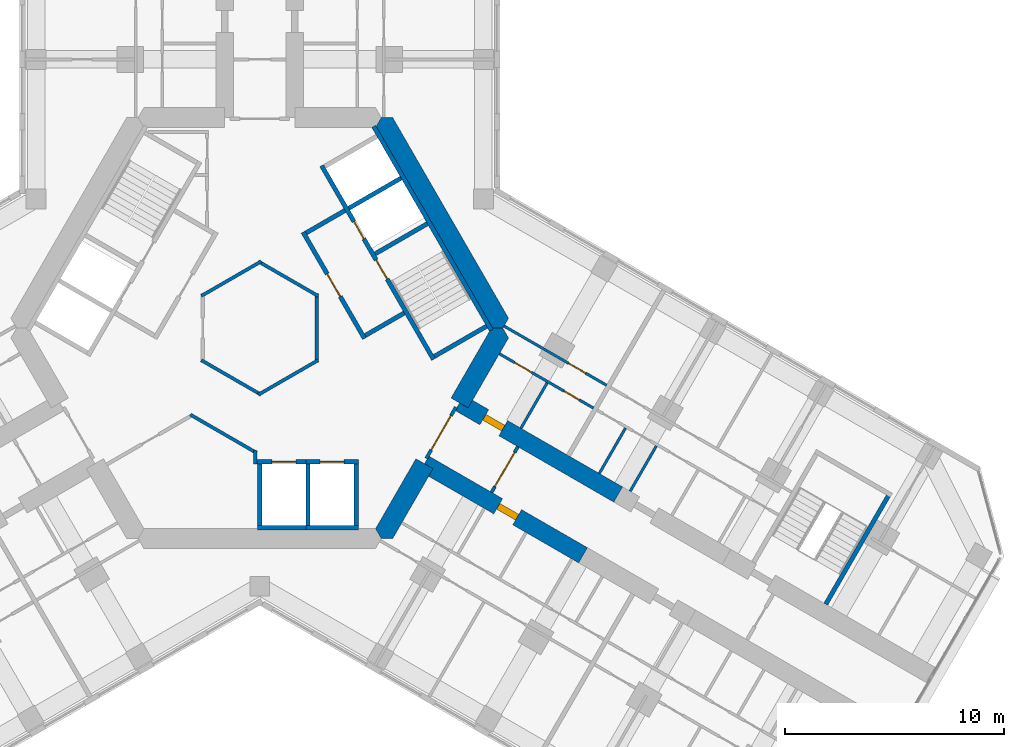
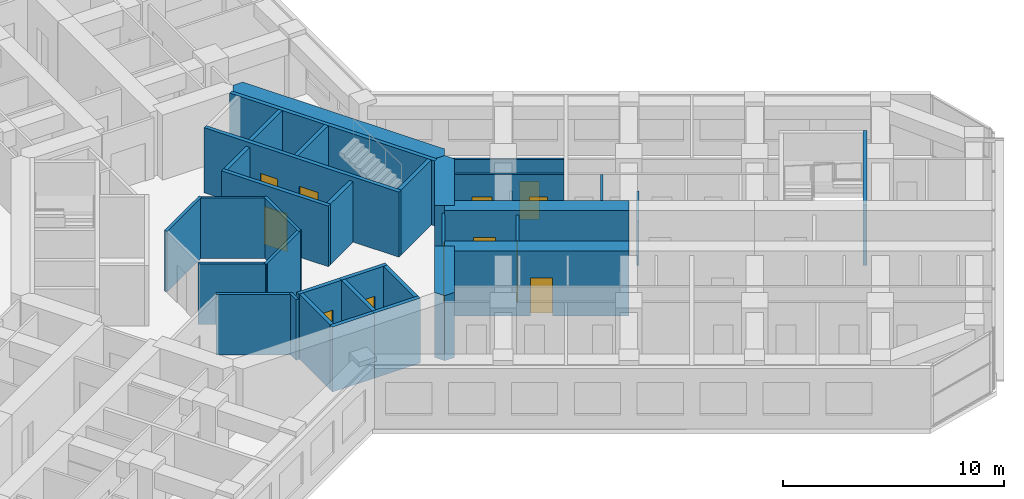
# One storey, part 15 of 20: 35 walls, 12 doors, 12 openings.
"""IFC4 building model written with IfcOpenShell, lengths in metres."""

import ifcopenshell
import ifcopenshell.guid

model = None  # the IFC model being written
_history = None  # IfcOwnerHistory: only IFC2X3 demands one
_inside = {}  # id of a spatial element -> (the spatial element, [elements in it])
_under = {}  # id of a project, library or spatial element -> (it, [spatial elements below it])
_declared = {}  # id of a project -> (the project, [libraries it declares])
_typed = {}  # id of a type object -> (the type object, [elements of that type])
_made_of = {}  # id of a material, layer set ... -> (it, [elements and type objects made of it])


def new_model(schema):
    """Start an empty IFC model of exactly this schema.

    Asked for "IFC4X3", IfcOpenShell would pick the latest addendum, in which some entities
    have other attributes; the version numbers below select the first issue.
    IFC2X3 requires an IfcOwnerHistory on every rooted entity: one is made here for all.
    """
    global model, _history
    if schema == "IFC4X3":
        model = ifcopenshell.file(schema_version=(4, 3, 0, 0))
    else:
        model = ifcopenshell.file(schema=schema)
    _inside.clear()
    _under.clear()
    _declared.clear()
    _typed.clear()
    _made_of.clear()
    _history = None
    if model.schema == "IFC2X3":
        org = make("IfcOrganization", Name="unknown")
        user = make(
            "IfcPersonAndOrganization",
            ThePerson=make("IfcPerson", FamilyName="unknown"),
            TheOrganization=org,
        )
        app = make(
            "IfcApplication",
            ApplicationDeveloper=org,
            Version="unknown",
            ApplicationFullName="unknown",
            ApplicationIdentifier="unknown",
        )
        _history = make(
            "IfcOwnerHistory",
            OwningUser=user,
            OwningApplication=app,
            ChangeAction="ADDED",
            CreationDate=0,
        )
    return model


def make(cls, **values):
    """One entity of the class cls with the attributes given. An attribute that is None is left unset."""
    return model.create_entity(
        cls, **{name: value for name, value in values.items() if value is not None}
    )


def rooted(cls, **values):
    """An entity with a GlobalId (a new one), such as an element, a storey or a relation."""
    return make(cls, GlobalId=ifcopenshell.guid.new(), OwnerHistory=_history, **values)


def si_unit(unit_type, name, prefix=None):
    """IfcSIUnit, for example si_unit("LENGTHUNIT", "METRE", prefix="MILLI")."""
    return make("IfcSIUnit", UnitType=unit_type, Prefix=prefix, Name=name)


def assignment(units):
    """IfcUnitAssignment: the units of a project."""
    return None if units is None else make("IfcUnitAssignment", Units=units)


def point(xyz):
    """IfcCartesianPoint."""
    return None if xyz is None else make("IfcCartesianPoint", Coordinates=xyz)


def direction(xyz):
    """IfcDirection."""
    return None if xyz is None else make("IfcDirection", DirectionRatios=xyz)


def frame(location, z_axis=None, x_axis=None):
    """IfcAxis2Placement3D, a coordinate frame: its origin and axes. An axis left out is left unset."""
    return make(
        "IfcAxis2Placement3D",
        Location=point(location),
        Axis=direction(z_axis),
        RefDirection=direction(x_axis),
    )


def frame_2d(location, x_axis=None):
    """IfcAxis2Placement2D, a coordinate frame in the plane: its origin and x axis."""
    return make(
        "IfcAxis2Placement2D", Location=point(location), RefDirection=direction(x_axis)
    )


def origin():
    """The frame at (0, 0, 0) with its axes left unset."""
    return frame((0.0, 0.0, 0.0))


def place(relative_to, where):
    """IfcLocalPlacement: puts the frame where relative to a parent placement (None: the world)."""
    return make(
        "IfcLocalPlacement", PlacementRelTo=relative_to, RelativePlacement=where
    )


def context(
    kind, dimensions, precision=None, world=None, true_north=None, identifier=None
):
    """IfcGeometricRepresentationContext, for example the 3D "Model" context."""
    return make(
        "IfcGeometricRepresentationContext",
        ContextIdentifier=identifier,
        ContextType=kind,
        CoordinateSpaceDimension=dimensions,
        Precision=precision,
        WorldCoordinateSystem=world,
        TrueNorth=true_north,
    )


def subcontext(parent, identifier, kind, view, scale=None):
    """IfcGeometricRepresentationSubContext, for example "Body" below "Model"."""
    return make(
        "IfcGeometricRepresentationSubContext",
        ContextIdentifier=identifier,
        ContextType=kind,
        ParentContext=parent,
        TargetScale=scale,
        TargetView=view,
    )


def project(units=None, contexts=None):
    """IfcProject with its units and contexts."""
    return rooted(
        "IfcProject",
        Name="project",
        RepresentationContexts=contexts,
        UnitsInContext=assignment(units),
    )


def spatial(cls, under=None, at=None, **own):
    """A site, building, storey or space (cls), placed at a placement, below another one or the project."""
    s = rooted(cls, ObjectPlacement=at, **own)
    if under is not None:
        _under.setdefault(under.id(), (under, []))[1].append(s)
    return s


def polyline(points):
    """IfcPolyline through the points."""
    return make("IfcPolyline", Points=[point(p) for p in points])


def profile(cls, at=None, kind="AREA", **sizes):
    """A parametric profile (cls). Its sizes go by their IFC names, for example OverallWidth=200.0."""
    return make(cls, ProfileType=kind, Position=at, **sizes)


def rectangle(**sizes):
    """IfcRectangleProfileDef."""
    return profile("IfcRectangleProfileDef", **sizes)


def outline(outer, holes=None, kind="AREA"):
    """IfcArbitraryClosedProfileDef: a profile drawn as a closed curve; with holes, ...WithVoids."""
    if holes is None:
        return make("IfcArbitraryClosedProfileDef", ProfileType=kind, OuterCurve=outer)
    return make(
        "IfcArbitraryProfileDefWithVoids",
        ProfileType=kind,
        OuterCurve=outer,
        InnerCurves=holes,
    )


def extrude(swept, where, along, depth):
    """IfcExtrudedAreaSolid: the profile swept, set in the frame where, extruded along a direction by depth."""
    return make(
        "IfcExtrudedAreaSolid",
        SweptArea=swept,
        Position=where,
        ExtrudedDirection=direction(along),
        Depth=depth,
    )


def shape(context_of_items, identifier, shape_type, items):
    """IfcShapeRepresentation: the items that make up one representation, for example the "Body"."""
    return make(
        "IfcShapeRepresentation",
        ContextOfItems=context_of_items,
        RepresentationIdentifier=identifier,
        RepresentationType=shape_type,
        Items=items,
    )


def material(Name=None, Category=None):
    """IfcMaterial."""
    return make("IfcMaterial", Name=Name, Category=Category)


def layer(
    of_material, thickness, ventilated=None, Name=None, Category=None, Priority=None
):
    """IfcMaterialLayer: one layer of a wall or slab, of a material (None: an air gap)."""
    return make(
        "IfcMaterialLayer",
        Material=of_material,
        LayerThickness=thickness,
        IsVentilated=ventilated,
        Name=Name,
        Category=Category,
        Priority=Priority,
    )


def layer_set(layers, Name=None):
    """IfcMaterialLayerSet."""
    return make("IfcMaterialLayerSet", MaterialLayers=layers, LayerSetName=Name)


def made_of(thing, what):
    """Note that an element or type object is made of a material, layer set ...; save() writes the relation."""
    if what is not None:
        _made_of.setdefault(what.id(), (what, []))[1].append(thing)
    return thing


def type_object(cls, material=None, **own):
    """A type object (cls), such as IfcWallType, which elements share."""
    return made_of(rooted(cls, **own), material)


def element(
    cls,
    number,
    at=None,
    inside=None,
    cuts=None,
    type_object=None,
    material=None,
    context=None,
    identifier="Body",
    shape_type=None,
    held_by="IfcProductDefinitionShape",
    body=None,
    shapes=None,
    **own,
):
    """One element of the class cls, such as IfcWall. Its Tag is "e" and its number.

    at: its placement. inside: the storey or other place that contains it. cuts: it is an
    opening in that element (IfcRelVoidsElement). A single representation is given by context,
    identifier, shape_type and body (its items); several are given by shapes. held_by: the class
    of the entity that holds the representations. save() writes the other relations.
    """
    e = rooted(cls, Tag="e%d" % number, ObjectPlacement=at, **own)
    if body is not None:
        shapes = [shape(context, identifier, shape_type, body)]
    if shapes is not None:
        e.Representation = make(held_by, Representations=shapes)
    if inside is not None:
        _inside.setdefault(inside.id(), (inside, []))[1].append(e)
    if cuts is not None:
        rooted(
            "IfcRelVoidsElement", RelatingBuildingElement=cuts, RelatedOpeningElement=e
        )
    if type_object is not None:
        _typed.setdefault(type_object.id(), (type_object, []))[1].append(e)
    return made_of(e, material)


def fill(opening, filler):
    """IfcRelFillsElement: the door or window that sits in an opening."""
    return rooted(
        "IfcRelFillsElement",
        RelatingOpeningElement=opening,
        RelatedBuildingElement=filler,
    )


def aggregate(whole, parts):
    """IfcRelAggregates: a whole, such as a stair, and the parts it consists of."""
    return rooted("IfcRelAggregates", RelatingObject=whole, RelatedObjects=parts)


def save(model, path):
    """Write the relations noted so far, then the file.

    IfcRelAggregates (storeys below a building ...), IfcRelContainedInSpatialStructure (elements
    in a storey), IfcRelDefinesByType, IfcRelAssociatesMaterial and IfcRelDeclares: one each for
    every whole, place, type object, material and project.
    """
    for whole, parts in _under.values():
        aggregate(whole, parts)
    for where, things in _inside.values():
        rooted(
            "IfcRelContainedInSpatialStructure",
            RelatedElements=things,
            RelatingStructure=where,
        )
    for kind, things in _typed.values():
        rooted("IfcRelDefinesByType", RelatedObjects=things, RelatingType=kind)
    for what, things in _made_of.values():
        rooted("IfcRelAssociatesMaterial", RelatedObjects=things, RelatingMaterial=what)
    for by, libraries in _declared.values():
        rooted("IfcRelDeclares", RelatingContext=by, RelatedDefinitions=libraries)
    model.write(path)


model = new_model("IFC4")

# Units and contexts
model_context = context("Model", 3, precision=1e-05, world=origin(), true_north=direction((0.0, 1.0)))
body_context = subcontext(model_context, "Body", "Model", "MODEL_VIEW")
ifc_project = project(units=[si_unit("LENGTHUNIT", "METRE"), si_unit("AREAUNIT", "SQUARE_METRE"), si_unit("VOLUMEUNIT", "CUBIC_METRE"), si_unit("PLANEANGLEUNIT", "RADIAN"), si_unit("MASSUNIT", "GRAM", prefix="KILO")], contexts=[model_context])

# Site, building, storey
site_placement = place(None, origin())
site = spatial("IfcSite", under=ifc_project, at=site_placement, CompositionType="ELEMENT")
building_placement = place(site_placement, origin())
building = spatial("IfcBuilding", under=site, at=building_placement, Name="Kosmar Iwan School Tower", CompositionType="ELEMENT")
storey_placement = place(building_placement, frame((0.0, 0.0, 176.0)))
storey = spatial("IfcBuildingStorey", under=building, at=storey_placement, Name="L44", CompositionType="ELEMENT", Elevation=176.0)

# Walls
ifc_material_1 = material(Name="Gypsum board on steel studs, fire-rated", Category="steel")
ifc_layer_1 = layer(ifc_material_1, 0.14990234375)
ifc_layer_set_1 = layer_set([ifc_layer_1], Name="Core room partition 150")
wall_type_1 = type_object("IfcWallType", Name="Core room partition 150", PredefinedType="PARTITIONING", material=ifc_layer_set_1)
wall_1_placement = place(storey_placement, frame((-3.1650390625, -3.9462890625, 0.0), z_axis=(0.0, 0.0, 1.0), x_axis=(0.866040335699, -0.499974136273, 0.0)))
element("IfcWall", 1, at=wall_1_placement, inside=storey, type_object=wall_type_1, Name="Core room partition L44-CW6", PredefinedType="PARTITIONING", context=body_context, shape_type="SweptSolid", body=[
    extrude(rectangle(XDim=3.498779296875, YDim=0.14990234375, at=frame_2d((1.74951171875, 0.0))), origin(), (0.0, 0.0, 1.0), 3.35009765625),
])
wall_2_placement = place(storey_placement, frame((-0.199951171875, -5.5830078125, 0.0), z_axis=(0.0, 0.0, 1.0), x_axis=(0.0, -1.0, 0.0)))
element("IfcWall", 2, at=wall_2_placement, inside=storey, type_object=wall_type_1, Name="Core room partition L44-CW7", PredefinedType="PARTITIONING", context=body_context, shape_type="SweptSolid", body=[
    extrude(rectangle(XDim=0.616943359375, YDim=0.14990234375, at=frame_2d((0.30859375, 0.0))), origin(), (0.0, 0.0, 1.0), 3.35009765625),
])
for number, where, z_axis, x_axis, name in (
    (3, (2.6650390625, -1.463623046875, 0.0), (0.0, 0.0, 1.0), (-0.866023080072, -0.500004024767, 0.0), "Core room partition L44-CW8"),
    (4, (0.06494140625, -3.039794921875, 0.0), (0.0, 0.0, 1.0), (-0.866023080072, 0.500004024767, 0.0), "Core room partition L44-CW9"),
    (5, (-2.6650390625, 1.463623046875, 0.0), (0.0, 0.0, 1.0), (0.866023080072, 0.500004024767, 0.0), "Core room partition L44-CW11"),
    (6, (-0.06494140625, 3.039794921875, 0.0), (0.0, 0.0, 1.0), (0.866023080072, -0.500004024767, 0.0), "Core room partition L44-CW12"),
    (7, (2.60009765625, 1.576171875, 0.0), (0.0, 0.0, 1.0), (0.0, -1.0, 0.0), "Core room partition L44-CW13"),
):
    element("IfcWall", number, at=place(storey_placement, frame(where, z_axis=z_axis, x_axis=x_axis)), inside=storey, type_object=wall_type_1, Name=name, PredefinedType="PARTITIONING", context=body_context, shape_type="SweptSolid", body=[
        extrude(rectangle(XDim=3.15234375, YDim=0.14990234375, at=frame_2d((1.576171875, 0.0))), origin(), (0.0, 0.0, 1.0), 3.35009765625),
    ])
ifc_material_2 = material(Name="Concrete C50/60", Category="concrete")
ifc_layer_2 = layer(ifc_material_2, 0.89990234375)
ifc_layer_set_2 = layer_set([ifc_layer_2], Name="Core wall 900")
wall_type_2 = type_object("IfcWallType", Name="Core wall 900", PredefinedType="SHEAR", material=ifc_layer_set_2)
wall_3_placement = place(storey_placement, origin())
element("IfcWall", 8, at=wall_3_placement, inside=storey, type_object=wall_type_2, Name="Core wall F030", PredefinedType="SHEAR", context=body_context, shape_type="SweptSolid", body=[
    extrude(outline(polyline([(10.5654296875, 0.0), (11.085205078125, 0.0), (11.344970703125, 0.449951171875), (6.062255859375, 9.60009765625), (5.54248046875, 9.60009765625), (5.28271484375, 9.14990234375), (10.5654296875, 0.0)])), origin(), (0.0, 0.0, 1.0), 3.60009765625),
])
wall_4_placement = place(storey_placement, origin())
element("IfcWall", 9, at=wall_4_placement, inside=storey, type_object=wall_type_2, Name="Core wall F330a", PredefinedType="SHEAR", context=body_context, shape_type="SweptSolid", body=[
    extrude(outline(polyline([(5.54248046875, -9.60009765625), (6.062255859375, -9.60009765625), (7.903564453125, -6.41064453125), (7.1240234375, -5.960693359375), (5.28271484375, -9.14990234375), (5.54248046875, -9.60009765625)])), origin(), (0.0, 0.0, 1.0), 3.60009765625),
])
wall_5_placement = place(storey_placement, origin())
element("IfcWall", 10, at=wall_5_placement, inside=storey, type_object=wall_type_2, Name="Core wall F330b", PredefinedType="SHEAR", context=body_context, shape_type="SweptSolid", body=[
    extrude(outline(polyline([(9.503662109375, -3.639404296875), (11.344970703125, -0.449951171875), (11.085205078125, 0.0), (10.5654296875, 0.0), (8.72412109375, -3.189453125), (9.503662109375, -3.639404296875)])), origin(), (0.0, 0.0, 1.0), 3.60009765625),
])

# Wall, opening, door
ifc_material_3 = material(Name="Concrete C50/60", Category="concrete")
ifc_layer_3 = layer(ifc_material_3, 0.800048828125)
ifc_layer_set_3 = layer_set([ifc_layer_3], Name="Corridor buttress wall 800")
wall_type_3 = type_object("IfcWallType", Name="Corridor buttress wall 800", PredefinedType="SHEAR", material=ifc_layer_set_3)
wall_6_placement = place(storey_placement, frame((9.11376953125, -3.414306640625, 0.0), z_axis=(0.0, 0.0, 1.0), x_axis=(0.866026859388, -0.499997478812, 0.0)))
wall_6 = element("IfcWall", 11, at=wall_6_placement, inside=storey, type_object=wall_type_3, Name="Corridor wall CL", PredefinedType="SHEAR", context=body_context, shape_type="SweptSolid", body=[
    extrude(rectangle(XDim=8.35009765625, YDim=0.800048828125, at=frame_2d((4.175048828125, 0.0))), origin(), (0.0, 0.0, 1.0), 3.60009765625),
])
opening_1_placement = place(wall_6_placement, frame((1.300048828125, 0.0, 0.0)))
opening_1 = element("IfcOpeningElement", 12, at=opening_1_placement, cuts=wall_6, Name="Opening D1", PredefinedType="OPENING", context=body_context, shape_type="SweptSolid", body=[
    extrude(rectangle(XDim=1.0, YDim=2.10009765625, at=frame_2d((0.5, 1.050048828125))), frame((0.0, 0.412109375, 0.0), z_axis=(0.0, -1.0, 0.0), x_axis=(1.0, 0.0, 0.0)), (0.0, 0.0, 1.0), 0.823974609375),
])
ifc_material_4 = material(Name="Timber fire door in steel frame", Category="steel")
door_type_1 = type_object("IfcDoorType", Name="Flat entrance door 1000x2100", OperationType="SINGLE_SWING_LEFT", PredefinedType="DOOR", material=ifc_material_4)
door_1_placement = place(opening_1_placement, origin())
door_1 = element("IfcDoor", 13, at=door_1_placement, inside=storey, type_object=door_type_1, Name="Flat L44-CL1 entrance door", OperationType="SINGLE_SWING_RIGHT", OverallHeight=2.10009765625, OverallWidth=1.0, PredefinedType="DOOR", context=body_context, shape_type="SweptSolid", body=[
    extrude(rectangle(XDim=1.0, YDim=2.10009765625, at=frame_2d((0.5, 1.050048828125))), frame((0.0, 0.14990234375, 0.0), z_axis=(0.0, -1.0, 0.0), x_axis=(1.0, 0.0, 0.0)), (0.0, 0.0, 1.0), 0.300048828125),
])
fill(opening_1, door_1)

wall_7_placement = place(storey_placement, frame((7.513916015625, -6.185546875, 0.0), z_axis=(0.0, 0.0, 1.0), x_axis=(0.866019549707, -0.500010139422, 0.0)))
wall_7 = element("IfcWall", 14, at=wall_7_placement, inside=storey, type_object=wall_type_3, Name="Corridor wall CR", PredefinedType="SHEAR", context=body_context, shape_type="SweptSolid", body=[
    extrude(rectangle(XDim=8.349853515625, YDim=0.800048828125, at=frame_2d((4.1748046875, 0.0))), origin(), (0.0, 0.0, 1.0), 3.60009765625),
])
opening_2_placement = place(wall_7_placement, frame((3.8798828125, 0.0, 0.0)))
opening_2 = element("IfcOpeningElement", 15, at=opening_2_placement, cuts=wall_7, Name="Opening D1", PredefinedType="OPENING", context=body_context, shape_type="SweptSolid", body=[
    extrude(rectangle(XDim=1.0, YDim=2.10009765625, at=frame_2d((0.5, 1.050048828125))), frame((0.0, 0.412109375, 0.0), z_axis=(0.0, -1.0, 0.0), x_axis=(1.0, 0.0, 0.0)), (0.0, 0.0, 1.0), 0.823974609375),
])
door_2_placement = place(opening_2_placement, origin())
door_2 = element("IfcDoor", 16, at=door_2_placement, inside=storey, type_object=door_type_1, Name="Flat L44-CR1 entrance door", OperationType="SINGLE_SWING_LEFT", OverallHeight=2.10009765625, OverallWidth=1.0, PredefinedType="DOOR", context=body_context, shape_type="SweptSolid", body=[
    extrude(rectangle(XDim=1.0, YDim=2.10009765625, at=frame_2d((0.5, 1.050048828125))), frame((0.0, 0.14990234375, 0.0), z_axis=(0.0, -1.0, 0.0), x_axis=(1.0, 0.0, 0.0)), (0.0, 0.0, 1.0), 0.300048828125),
])
fill(opening_2, door_2)

ifc_material_5 = material(Name="Gypsum board on steel studs, fire-rated", Category="steel")
ifc_layer_4 = layer(ifc_material_5, 0.14990234375)
ifc_layer_set_4 = layer_set([ifc_layer_4], Name="Corridor end wall 150")
wall_type_4 = type_object("IfcWallType", Name="Corridor end wall 150", PredefinedType="PARTITIONING", material=ifc_layer_set_4)
wall_8_placement = place(storey_placement, frame((10.57177734375, -7.4892578125, 0.0), z_axis=(0.0, 0.0, 1.0), x_axis=(0.499957262057, 0.866050077142, 0.0)))
wall_8 = element("IfcWall", 17, at=wall_8_placement, inside=storey, type_object=wall_type_4, Name="Partition L44-C-HW", PredefinedType="PARTITIONING", context=body_context, shape_type="SweptSolid", body=[
    extrude(rectangle(XDim=2.400146484375, YDim=0.14990234375, at=frame_2d((1.2001953125, 0.0))), origin(), (0.0, 0.0, 1.0), 3.35009765625),
])
opening_3_placement = place(wall_8_placement, frame((0.300048828125, 0.0, 0.0)))
opening_3 = element("IfcOpeningElement", 18, at=opening_3_placement, cuts=wall_8, Name="Opening D9", PredefinedType="OPENING", context=body_context, shape_type="SweptSolid", body=[
    extrude(rectangle(XDim=1.800048828125, YDim=2.10009765625, at=frame_2d((0.89990234375, 1.050048828125))), frame((0.0, 0.0869140625, 0.0), z_axis=(0.0, -1.0, 0.0), x_axis=(1.0, 0.0, 0.0)), (0.0, 0.0, 1.0), 0.173828125),
])
ifc_material_6 = material(Name="Steel framed glazed smoke door", Category="steel")
door_type_2 = type_object("IfcDoorType", Name="Corridor smoke door pair 1800x2100", OperationType="DOUBLE_DOOR_DOUBLE_SWING", PredefinedType="DOOR", material=ifc_material_6)
door_3_placement = place(opening_3_placement, origin())
door_3 = element("IfcDoor", 19, at=door_3_placement, inside=storey, type_object=door_type_2, Name="Hashti vestibule smoke doors L44-C", OperationType="DOUBLE_DOOR_DOUBLE_SWING", OverallHeight=2.10009765625, OverallWidth=1.800048828125, PredefinedType="DOOR", context=body_context, shape_type="SweptSolid", body=[
    extrude(rectangle(XDim=1.800048828125, YDim=2.10009765625, at=frame_2d((0.89990234375, 1.050048828125))), frame((0.0, 0.02490234375, 0.0), z_axis=(0.0, -1.0, 0.0), x_axis=(1.0, 0.0, 0.0)), (0.0, 0.0, 1.0), 0.050048828125),
])
fill(opening_3, door_3)

ifc_material_7 = material(Name="Steel framed glazed screen", Category="steel")
ifc_layer_5 = layer(ifc_material_7, 0.14990234375)
ifc_layer_set_5 = layer_set([ifc_layer_5], Name="Corridor screen wall 150")
wall_type_5 = type_object("IfcWallType", Name="Corridor screen wall 150", PredefinedType="PARTITIONING", material=ifc_layer_set_5)
wall_9_placement = place(storey_placement, frame((7.595458984375, -5.944091796875, 0.0), z_axis=(0.0, 0.0, 1.0), x_axis=(0.500048589285, 0.86599734893, 0.0)))
wall_9 = element("IfcWall", 20, at=wall_9_placement, inside=storey, type_object=wall_type_5, Name="Corridor screen C L44", PredefinedType="PARTITIONING", context=body_context, shape_type="SweptSolid", body=[
    extrude(rectangle(XDim=2.699951171875, YDim=0.14990234375, at=frame_2d((1.35009765625, 0.0))), origin(), (0.0, 0.0, 1.0), 3.35009765625),
])
opening_4_placement = place(wall_9_placement, frame((0.449951171875, 0.0, 0.0)))
opening_4 = element("IfcOpeningElement", 21, at=opening_4_placement, cuts=wall_9, Name="Opening D9", PredefinedType="OPENING", context=body_context, shape_type="SweptSolid", body=[
    extrude(rectangle(XDim=1.800048828125, YDim=2.10009765625, at=frame_2d((0.89990234375, 1.050048828125))), frame((0.0, 0.0869140625, 0.0), z_axis=(0.0, -1.0, 0.0), x_axis=(1.0, 0.0, 0.0)), (0.0, 0.0, 1.0), 0.173828125),
])
door_4_placement = place(opening_4_placement, origin())
door_4 = element("IfcDoor", 22, at=door_4_placement, inside=storey, type_object=door_type_2, Name="Corridor doors C L44", OperationType="DOUBLE_DOOR_DOUBLE_SWING", OverallHeight=2.10009765625, OverallWidth=1.800048828125, PredefinedType="DOOR", context=body_context, shape_type="SweptSolid", body=[
    extrude(rectangle(XDim=1.800048828125, YDim=2.10009765625, at=frame_2d((0.89990234375, 1.050048828125))), frame((0.0, 0.02490234375, 0.0), z_axis=(0.0, -1.0, 0.0), x_axis=(1.0, 0.0, 0.0)), (0.0, 0.0, 1.0), 0.050048828125),
])
fill(opening_4, door_4)

# Wall, openings, doors
ifc_material_8 = material(Name="Gypsum board on steel studs", Category="steel")
ifc_layer_6 = layer(ifc_material_8, 0.1201171875)
ifc_layer_set_6 = layer_set([ifc_layer_6], Name="Dwelling partition 120")
wall_type_6 = type_object("IfcWallType", Name="Dwelling partition 120", PredefinedType="PARTITIONING", material=ifc_layer_set_6)
wall_10_placement = place(storey_placement, frame((10.928466796875, -1.171142578125, 0.0), z_axis=(0.0, 0.0, 1.0), x_axis=(0.866018855338, -0.500011342071, 0.0)))
wall_10 = element("IfcWall", 23, at=wall_10_placement, inside=storey, type_object=wall_type_6, Name="Partition L44-CL1-W1", PredefinedType="PARTITIONING", context=body_context, shape_type="SweptSolid", body=[
    extrude(rectangle(XDim=4.9501953125, YDim=0.1201171875, at=frame_2d((2.47509765625, 0.0))), origin(), (0.0, 0.0, 1.0), 3.35009765625),
])
opening_5_placement = place(wall_10_placement, frame((0.800048828125, 0.0, 0.0)))
opening_5 = element("IfcOpeningElement", 24, at=opening_5_placement, cuts=wall_10, Name="Opening D2", PredefinedType="OPENING", context=body_context, shape_type="SweptSolid", body=[
    extrude(rectangle(XDim=0.89990234375, YDim=2.10009765625, at=frame_2d((0.449951171875, 1.050048828125))), frame((0.0, 0.072021484375, 0.0), z_axis=(0.0, -1.0, 0.0), x_axis=(1.0, 0.0, 0.0)), (0.0, 0.0, 1.0), 0.14404296875),
])
opening_6_placement = place(wall_10_placement, frame((3.39990234375, 0.0, 0.0)))
opening_6 = element("IfcOpeningElement", 25, at=opening_6_placement, cuts=wall_10, Name="Opening D3", PredefinedType="OPENING", context=body_context, shape_type="SweptSolid", body=[
    extrude(rectangle(XDim=0.800048828125, YDim=2.10009765625, at=frame_2d((0.39990234375, 1.050048828125))), frame((0.0, 0.072021484375, 0.0), z_axis=(0.0, -1.0, 0.0), x_axis=(1.0, 0.0, 0.0)), (0.0, 0.0, 1.0), 0.14404296875),
])
ifc_material_9 = material(Name="Timber door in timber frame", Category="wood")
door_type_3 = type_object("IfcDoorType", Name="Internal door 900x2100", OperationType="SINGLE_SWING_LEFT", PredefinedType="DOOR", material=ifc_material_9)
door_5_placement = place(opening_5_placement, origin())
door_5 = element("IfcDoor", 26, at=door_5_placement, inside=storey, type_object=door_type_3, Name="Entrance hall door L44-CL1-S1", OperationType="SINGLE_SWING_LEFT", OverallHeight=2.10009765625, OverallWidth=0.89990234375, PredefinedType="DOOR", context=body_context, shape_type="SweptSolid", body=[
    extrude(rectangle(XDim=0.89990234375, YDim=2.10009765625, at=frame_2d((0.449951171875, 1.050048828125))), frame((0.0, 0.02490234375, 0.0), z_axis=(0.0, -1.0, 0.0), x_axis=(1.0, 0.0, 0.0)), (0.0, 0.0, 1.0), 0.050048828125),
])
fill(opening_5, door_5)
ifc_material_10 = material(Name="Timber door in timber frame", Category="wood")
door_type_4 = type_object("IfcDoorType", Name="Sanitary room door 800x2100", OperationType="SINGLE_SWING_LEFT", PredefinedType="DOOR", material=ifc_material_10)
door_6_placement = place(opening_6_placement, origin())
door_6 = element("IfcDoor", 27, at=door_6_placement, inside=storey, type_object=door_type_4, Name="Bathroom door L44-CL1-S2", OperationType="SINGLE_SWING_RIGHT", OverallHeight=2.10009765625, OverallWidth=0.800048828125, PredefinedType="DOOR", context=body_context, shape_type="SweptSolid", body=[
    extrude(rectangle(XDim=0.800048828125, YDim=2.10009765625, at=frame_2d((0.39990234375, 1.050048828125))), frame((0.0, 0.02490234375, 0.0), z_axis=(0.0, -1.0, 0.0), x_axis=(1.0, 0.0, 0.0)), (0.0, 0.0, 1.0), 0.050048828125),
])
fill(opening_6, door_6)

# Wall, opening, door
wall_11_placement = place(storey_placement, frame((11.138916015625, 0.093017578125, 0.0), z_axis=(0.0, 0.0, 1.0), x_axis=(0.866028230842, -0.499995103361, 0.0)))
wall_11 = element("IfcWall", 28, at=wall_11_placement, inside=storey, type_object=wall_type_6, Name="Partition L44-CL1-W2", PredefinedType="PARTITIONING", context=body_context, shape_type="SweptSolid", body=[
    extrude(rectangle(XDim=5.39990234375, YDim=0.1201171875, at=frame_2d((2.699951171875, 0.0))), origin(), (0.0, 0.0, 1.0), 3.35009765625),
])
opening_7_placement = place(wall_11_placement, frame((3.39990234375, 0.0, 0.0)))
opening_7 = element("IfcOpeningElement", 29, at=opening_7_placement, cuts=wall_11, Name="Opening D2", PredefinedType="OPENING", context=body_context, shape_type="SweptSolid", body=[
    extrude(rectangle(XDim=0.89990234375, YDim=2.10009765625, at=frame_2d((0.449951171875, 1.050048828125))), frame((0.0, 0.072021484375, 0.0), z_axis=(0.0, -1.0, 0.0), x_axis=(1.0, 0.0, 0.0)), (0.0, 0.0, 1.0), 0.14404296875),
])
door_7_placement = place(opening_7_placement, origin())
door_7 = element("IfcDoor", 30, at=door_7_placement, inside=storey, type_object=door_type_3, Name="Studio living room and kitchen door L44-CL1-F1", OperationType="SINGLE_SWING_RIGHT", OverallHeight=2.10009765625, OverallWidth=0.89990234375, PredefinedType="DOOR", context=body_context, shape_type="SweptSolid", body=[
    extrude(rectangle(XDim=0.89990234375, YDim=2.10009765625, at=frame_2d((0.449951171875, 1.050048828125))), frame((0.0, 0.02490234375, 0.0), z_axis=(0.0, -1.0, 0.0), x_axis=(1.0, 0.0, 0.0)), (0.0, 0.0, 1.0), 0.050048828125),
])
fill(opening_7, door_7)

# Walls
wall_12_placement = place(storey_placement, frame((11.911865234375, -4.56787109375, 0.0), z_axis=(0.0, 0.0, 1.0), x_axis=(0.500017192868, 0.86601547725, 0.0)))
element("IfcWall", 31, at=wall_12_placement, inside=storey, type_object=wall_type_6, Name="Partition L44-CL1-Y1", PredefinedType="PARTITIONING", context=body_context, shape_type="SweptSolid", body=[
    extrude(rectangle(XDim=2.39013671875, YDim=0.1201171875, at=frame_2d((1.195068359375, 0.0))), origin(), (0.0, 0.0, 1.0), 2.449951171875),
])
wall_13_placement = place(storey_placement, frame((15.484375, -6.63037109375, 0.0), z_axis=(0.0, 0.0, 1.0), x_axis=(0.499940577336, 0.866059708757, 0.0)))
element("IfcWall", 32, at=wall_13_placement, inside=storey, type_object=wall_type_6, Name="Partition L44-CL2-Y1", PredefinedType="PARTITIONING", context=body_context, shape_type="SweptSolid", body=[
    extrude(rectangle(XDim=2.389892578125, YDim=0.1201171875, at=frame_2d((1.19482421875, 0.0))), origin(), (0.0, 0.0, 1.0), 3.35009765625),
])
wall_14_placement = place(storey_placement, frame((16.8916015625, -7.44287109375, 0.0), z_axis=(0.0, 0.0, 1.0), x_axis=(0.500017192868, 0.86601547725, 0.0)))
element("IfcWall", 33, at=wall_14_placement, inside=storey, type_object=wall_type_6, Name="Partition L44-CL2-Y2", PredefinedType="PARTITIONING", context=body_context, shape_type="SweptSolid", body=[
    extrude(rectangle(XDim=2.39013671875, YDim=0.1201171875, at=frame_2d((1.195068359375, 0.0))), origin(), (0.0, 0.0, 1.0), 2.449951171875),
])
ifc_material_11 = material(Name="Concrete C35/45", Category="concrete")
ifc_layer_7 = layer(ifc_material_11, 0.199951171875)
ifc_layer_set_7 = layer_set([ifc_layer_7], Name="Escape stair wall 200")
wall_type_7 = type_object("IfcWallType", Name="Escape stair wall 200", PredefinedType="SHEAR", material=ifc_layer_set_7)
wall_15_placement = place(storey_placement, frame((25.8115234375, -12.593017578125, 0.0), z_axis=(0.0, 0.0, 1.0), x_axis=(0.500019744199, 0.866014004166, 0.0)))
element("IfcWall", 34, at=wall_15_placement, inside=storey, type_object=wall_type_7, Name="Stair WS3 wall", PredefinedType="SHEAR", context=body_context, shape_type="SweptSolid", body=[
    extrude(rectangle(XDim=5.900146484375, YDim=0.199951171875, at=frame_2d((2.9501953125, 0.0))), origin(), (0.0, 0.0, 1.0), 3.330078125),
])

# Wall, opening, door
ifc_material_12 = material(Name="Concrete block masonry", Category="masonry")
ifc_layer_8 = layer(ifc_material_12, 0.199951171875)
ifc_layer_set_8 = layer_set([ifc_layer_8], Name="Fire lobby wall 200")
wall_type_8 = type_object("IfcWallType", Name="Fire lobby wall 200", PredefinedType="PARTITIONING", material=ifc_layer_set_8)
wall_16_placement = place(storey_placement, frame((4.777587890625, -0.474853515625, 0.0), z_axis=(0.0, 0.0, 1.0), x_axis=(-0.500016814911, 0.866015695474, 0.0)))
wall_16 = element("IfcWall", 35, at=wall_16_placement, inside=storey, type_object=wall_type_8, Name="Firefighting lobby wall ST1", PredefinedType="PARTITIONING", context=body_context, shape_type="SweptSolid", body=[
    extrude(rectangle(XDim=5.599853515625, YDim=0.199951171875, at=frame_2d((2.7998046875, 0.0))), origin(), (0.0, 0.0, 1.0), 3.35009765625),
])
opening_8_placement = place(wall_16_placement, frame((2.199951171875, 0.0, 0.0)))
opening_8 = element("IfcOpeningElement", 36, at=opening_8_placement, cuts=wall_16, Name="Opening D7", PredefinedType="OPENING", context=body_context, shape_type="SweptSolid", body=[
    extrude(rectangle(XDim=1.199951171875, YDim=2.10009765625, at=frame_2d((0.60009765625, 1.050048828125))), frame((0.0, 0.112060546875, 0.0), z_axis=(0.0, -1.0, 0.0), x_axis=(1.0, 0.0, 0.0)), (0.0, 0.0, 1.0), 0.223876953125),
])
ifc_material_13 = material(Name="Steel fire door", Category="steel")
door_type_5 = type_object("IfcDoorType", Name="Fire lobby door 1200x2100", OperationType="SINGLE_SWING_LEFT", PredefinedType="DOOR", material=ifc_material_13)
door_8_placement = place(opening_8_placement, frame((1.199951171875, 0.0, 0.0), z_axis=(0.0, 0.0, 1.0), x_axis=(-1.0, 0.0, 0.0)))
door_8 = element("IfcDoor", 37, at=door_8_placement, inside=storey, type_object=door_type_5, Name="Firefighting lobby door ST1 L44", OperationType="SINGLE_SWING_RIGHT", OverallHeight=2.10009765625, OverallWidth=1.199951171875, PredefinedType="DOOR", context=body_context, shape_type="SweptSolid", body=[
    extrude(rectangle(XDim=1.199951171875, YDim=2.10009765625, at=frame_2d((0.60009765625, 1.050048828125))), frame((0.0, 0.02490234375, 0.0), z_axis=(0.0, -1.0, 0.0), x_axis=(1.0, 0.0, 0.0)), (0.0, 0.0, 1.0), 0.050048828125),
])
fill(opening_8, door_8)

# Walls
wall_17_placement = place(storey_placement, frame((4.814208984375, -0.33837890625, 0.0), z_axis=(0.0, 0.0, 1.0), x_axis=(0.865969381856, 0.500097020274, 0.0)))
element("IfcWall", 38, at=wall_17_placement, inside=storey, type_object=wall_type_8, Name="Firefighting lobby wall ST1", PredefinedType="PARTITIONING", context=body_context, shape_type="SweptSolid", body=[
    extrude(rectangle(XDim=2.0498046875, YDim=0.199951171875, at=frame_2d((1.02490234375, 0.0))), origin(), (0.0, 0.0, 1.0), 3.35009765625),
])
wall_18_placement = place(storey_placement, frame((2.114013671875, 4.33837890625, 0.0), z_axis=(0.0, 0.0, 1.0), x_axis=(0.866050731258, 0.499956128963, 0.0)))
element("IfcWall", 39, at=wall_18_placement, inside=storey, type_object=wall_type_8, Name="Firefighting lobby wall ST1", PredefinedType="PARTITIONING", context=body_context, shape_type="SweptSolid", body=[
    extrude(rectangle(XDim=2.050048828125, YDim=0.199951171875, at=frame_2d((1.02490234375, 0.0))), origin(), (0.0, 0.0, 1.0), 3.35009765625),
])

# Wall, openings, doors
ifc_material_14 = material(Name="Concrete C50/60", Category="concrete")
ifc_layer_9 = layer(ifc_material_14, 0.199951171875)
ifc_layer_set_9 = layer_set([ifc_layer_9], Name="Lift shaft wall 200")
wall_type_9 = type_object("IfcWallType", Name="Lift shaft wall 200", PredefinedType="SHEAR", material=ifc_layer_set_9)
wall_19_placement = place(storey_placement, frame((7.926025390625, -1.42822265625, 0.0), z_axis=(0.0, 0.0, 1.0), x_axis=(-0.499998023675, 0.866026544813, 0.0)))
wall_19 = element("IfcWall", 40, at=wall_19_placement, inside=storey, type_object=wall_type_9, Name="Lift and stair front wall AC", PredefinedType="SHEAR", context=body_context, shape_type="SweptSolid", body=[
    extrude(rectangle(XDim=10.19970703125, YDim=0.199951171875, at=frame_2d((5.099853515625, 0.0))), origin(), (0.0, 0.0, 1.0), 3.60009765625),
])
opening_9_placement = place(wall_19_placement, frame((6.35009765625, 0.0, 0.0)))
opening_9 = element("IfcOpeningElement", 41, at=opening_9_placement, cuts=wall_19, Name="Opening LD2", PredefinedType="OPENING", context=body_context, shape_type="SweptSolid", body=[
    extrude(rectangle(XDim=0.89990234375, YDim=2.10009765625, at=frame_2d((0.449951171875, 1.050048828125))), frame((0.0, 0.112060546875, 0.0), z_axis=(0.0, -1.0, 0.0), x_axis=(1.0, 0.0, 0.0)), (0.0, 0.0, 1.0), 0.223876953125),
])
opening_10_placement = place(wall_19_placement, frame((4.22998046875, 0.0, 0.0)))
opening_10 = element("IfcOpeningElement", 42, at=opening_10_placement, cuts=wall_19, Name="Opening D6", PredefinedType="OPENING", context=body_context, shape_type="SweptSolid", body=[
    extrude(rectangle(XDim=1.0, YDim=2.10009765625, at=frame_2d((0.5, 1.050048828125))), frame((0.0, 0.112060546875, 0.0), z_axis=(0.0, -1.0, 0.0), x_axis=(1.0, 0.0, 0.0)), (0.0, 0.0, 1.0), 0.223876953125),
])
ifc_material_15 = material(Name="Stainless steel sliding lift door", Category="steel")
door_type_6 = type_object("IfcDoorType", Name="Firefighting lift landing door 900x2100", OperationType="SLIDING_TO_LEFT", PredefinedType="DOOR", material=ifc_material_15)
door_9_placement = place(opening_9_placement, origin())
door_9 = element("IfcDoor", 43, at=door_9_placement, inside=storey, type_object=door_type_6, Name="Lift FF1 landing door L44", OperationType="SLIDING_TO_LEFT", OverallHeight=2.10009765625, OverallWidth=0.89990234375, PredefinedType="DOOR", context=body_context, shape_type="SweptSolid", body=[
    extrude(rectangle(XDim=0.89990234375, YDim=2.10009765625, at=frame_2d((0.449951171875, 1.050048828125))), frame((0.0, 0.02490234375, 0.0), z_axis=(0.0, -1.0, 0.0), x_axis=(1.0, 0.0, 0.0)), (0.0, 0.0, 1.0), 0.050048828125),
])
fill(opening_9, door_9)
ifc_material_16 = material(Name="Steel fire door", Category="steel")
door_type_7 = type_object("IfcDoorType", Name="Stair door 1000x2100", OperationType="SINGLE_SWING_LEFT", PredefinedType="DOOR", material=ifc_material_16)
door_10_placement = place(opening_10_placement, origin())
door_10 = element("IfcDoor", 44, at=door_10_placement, inside=storey, type_object=door_type_7, Name="Stair ST1 door L44", OperationType="SINGLE_SWING_LEFT", OverallHeight=2.10009765625, OverallWidth=1.0, PredefinedType="DOOR", context=body_context, shape_type="SweptSolid", body=[
    extrude(rectangle(XDim=1.0, YDim=2.10009765625, at=frame_2d((0.5, 1.050048828125))), frame((0.0, 0.02490234375, 0.0), z_axis=(0.0, -1.0, 0.0), x_axis=(1.0, 0.0, 0.0)), (0.0, 0.0, 1.0), 0.050048828125),
])
fill(opening_10, door_10)

# Walls
wall_20_placement = place(storey_placement, frame((10.5654296875, -0.10009765625, 0.0), z_axis=(0.0, 0.0, 1.0), x_axis=(-0.499999935134, 0.866025441235, 0.0)))
element("IfcWall", 45, at=wall_20_placement, inside=storey, type_object=wall_type_9, Name="Lift and stair back wall AC", PredefinedType="SHEAR", context=body_context, shape_type="SweptSolid", body=[
    extrude(rectangle(XDim=10.73876953125, YDim=0.199951171875, at=frame_2d((5.369384765625, 0.0))), origin(), (0.0, 0.0, 1.0), 3.60009765625),
])
wall_21_placement = place(storey_placement, frame((4.062744140625, 5.46337890625, 0.0), z_axis=(0.0, 0.0, 1.0), x_axis=(0.866027397988, 0.499996545922, 0.0)))
element("IfcWall", 46, at=wall_21_placement, inside=storey, type_object=wall_type_9, Name="Lift shaft wall AC 1", PredefinedType="SHEAR", context=body_context, shape_type="SweptSolid", body=[
    extrude(rectangle(XDim=2.75, YDim=0.199951171875, at=frame_2d((1.375, 0.0))), origin(), (0.0, 0.0, 1.0), 3.60009765625),
])

# Wall, opening, door
wall_22_placement = place(storey_placement, frame((-0.125, -6.10009765625, 0.0), z_axis=(0.0, 0.0, 1.0), x_axis=(1.0, 0.0, 0.0)))
wall_22 = element("IfcWall", 47, at=wall_22_placement, inside=storey, type_object=wall_type_9, Name="Lift and stair front wall BC", PredefinedType="SHEAR", context=body_context, shape_type="SweptSolid", body=[
    extrude(rectangle(XDim=2.22509765625, YDim=0.199951171875, at=frame_2d((1.112548828125, 0.0))), origin(), (0.0, 0.0, 1.0), 3.60009765625),
])
opening_11_placement = place(wall_22_placement, frame((0.675048828125, 0.0, 0.0)))
opening_11 = element("IfcOpeningElement", 48, at=opening_11_placement, cuts=wall_22, Name="Opening LD1", PredefinedType="OPENING", context=body_context, shape_type="SweptSolid", body=[
    extrude(rectangle(XDim=1.10009765625, YDim=2.10009765625, at=frame_2d((0.550048828125, 1.050048828125))), frame((0.0, 0.112060546875, 0.0), z_axis=(0.0, -1.0, 0.0), x_axis=(1.0, 0.0, 0.0)), (0.0, 0.0, 1.0), 0.223876953125),
])
ifc_material_17 = material(Name="Stainless steel sliding lift door", Category="steel")
door_type_8 = type_object("IfcDoorType", Name="Lift landing door 1100x2100", OperationType="SLIDING_TO_LEFT", PredefinedType="DOOR", material=ifc_material_17)
door_11_placement = place(opening_11_placement, origin())
door_11 = element("IfcDoor", 49, at=door_11_placement, inside=storey, type_object=door_type_8, Name="Lift PL3 landing door L44", OperationType="SLIDING_TO_LEFT", OverallHeight=2.10009765625, OverallWidth=1.10009765625, PredefinedType="DOOR", context=body_context, shape_type="SweptSolid", body=[
    extrude(rectangle(XDim=1.10009765625, YDim=2.10009765625, at=frame_2d((0.550048828125, 1.050048828125))), frame((0.0, 0.02490234375, 0.0), z_axis=(0.0, -1.0, 0.0), x_axis=(1.0, 0.0, 0.0)), (0.0, 0.0, 1.0), 0.050048828125),
])
fill(opening_11, door_11)

# Wall
wall_23_placement = place(storey_placement, frame((-0.10009765625, -9.10009765625, 0.0), z_axis=(0.0, 0.0, 1.0), x_axis=(1.0, 0.0, 0.0)))
element("IfcWall", 50, at=wall_23_placement, inside=storey, type_object=wall_type_9, Name="Lift and stair back wall BC", PredefinedType="SHEAR", context=body_context, shape_type="SweptSolid", body=[
    extrude(rectangle(XDim=2.2001953125, YDim=0.199951171875, at=frame_2d((1.10009765625, 0.0))), origin(), (0.0, 0.0, 1.0), 3.60009765625),
])

# Wall, opening, door
wall_24_placement = place(storey_placement, frame((2.10009765625, -6.10009765625, 0.0), z_axis=(0.0, 0.0, 1.0), x_axis=(1.0, 0.0, 0.0)))
wall_24 = element("IfcWall", 51, at=wall_24_placement, inside=storey, type_object=wall_type_9, Name="Lift and stair front wall BC", PredefinedType="SHEAR", context=body_context, shape_type="SweptSolid", body=[
    extrude(rectangle(XDim=2.39990234375, YDim=0.199951171875, at=frame_2d((1.199951171875, 0.0))), origin(), (0.0, 0.0, 1.0), 3.60009765625),
])
opening_12_placement = place(wall_24_placement, frame((0.64990234375, 0.0, 0.0)))
opening_12 = element("IfcOpeningElement", 52, at=opening_12_placement, cuts=wall_24, Name="Opening LD1", PredefinedType="OPENING", context=body_context, shape_type="SweptSolid", body=[
    extrude(rectangle(XDim=1.10009765625, YDim=2.10009765625, at=frame_2d((0.550048828125, 1.050048828125))), frame((0.0, 0.112060546875, 0.0), z_axis=(0.0, -1.0, 0.0), x_axis=(1.0, 0.0, 0.0)), (0.0, 0.0, 1.0), 0.223876953125),
])
door_12_placement = place(opening_12_placement, origin())
door_12 = element("IfcDoor", 53, at=door_12_placement, inside=storey, type_object=door_type_8, Name="Lift PL4 landing door L44", OperationType="SLIDING_TO_LEFT", OverallHeight=2.10009765625, OverallWidth=1.10009765625, PredefinedType="DOOR", context=body_context, shape_type="SweptSolid", body=[
    extrude(rectangle(XDim=1.10009765625, YDim=2.10009765625, at=frame_2d((0.550048828125, 1.050048828125))), frame((0.0, 0.02490234375, 0.0), z_axis=(0.0, -1.0, 0.0), x_axis=(1.0, 0.0, 0.0)), (0.0, 0.0, 1.0), 0.050048828125),
])
fill(opening_12, door_12)

# Walls
wall_25_placement = place(storey_placement, frame((2.10009765625, -9.10009765625, 0.0), z_axis=(0.0, 0.0, 1.0), x_axis=(1.0, 0.0, 0.0)))
element("IfcWall", 54, at=wall_25_placement, inside=storey, type_object=wall_type_9, Name="Lift and stair back wall BC", PredefinedType="SHEAR", context=body_context, shape_type="SweptSolid", body=[
    extrude(rectangle(XDim=2.39990234375, YDim=0.199951171875, at=frame_2d((1.199951171875, 0.0))), origin(), (0.0, 0.0, 1.0), 3.60009765625),
])
for number, where, z_axis, x_axis, name in (
    (55, (0.0, -6.199951171875, 0.0), (0.0, 0.0, 1.0), (0.0, -1.0, 0.0), "Lift shaft wall BC 0"),
    (56, (2.199951171875, -6.199951171875, 0.0), (0.0, 0.0, 1.0), (0.0, -1.0, 0.0), "Lift shaft wall BC 1"),
    (57, (4.39990234375, -6.199951171875, 0.0), (0.0, 0.0, 1.0), (0.0, -1.0, 0.0), "Lift shaft wall BC 2"),
):
    element("IfcWall", number, at=place(storey_placement, frame(where, z_axis=z_axis, x_axis=x_axis)), inside=storey, type_object=wall_type_9, Name=name, PredefinedType="SHEAR", context=body_context, shape_type="SweptSolid", body=[
        extrude(rectangle(XDim=2.800048828125, YDim=0.199951171875, at=frame_2d((1.39990234375, 0.0))), origin(), (0.0, 0.0, 1.0), 3.60009765625),
    ])
ifc_material_18 = material(Name="Concrete C50/60", Category="concrete")
ifc_layer_10 = layer(ifc_material_18, 0.199951171875)
ifc_layer_set_10 = layer_set([ifc_layer_10], Name="Stair enclosure wall 200")
wall_type_10 = type_object("IfcWallType", Name="Stair enclosure wall 200", PredefinedType="SHEAR", material=ifc_layer_set_10)
for number, where, z_axis, x_axis, name in (
    (58, (7.962646484375, -1.291748046875, 0.0), (0.0, 0.0, 1.0), (0.866027397988, 0.499996545922, 0.0), "Stair ST1 wall"),
    (59, (5.2626953125, 3.384765625, 0.0), (0.0, 0.0, 1.0), (0.866027397988, 0.499996545922, 0.0), "Stair ST1 wall"),
):
    element("IfcWall", number, at=place(storey_placement, frame(where, z_axis=z_axis, x_axis=x_axis)), inside=storey, type_object=wall_type_10, Name=name, PredefinedType="SHEAR", context=body_context, shape_type="SweptSolid", body=[
        extrude(rectangle(XDim=2.75, YDim=0.199951171875, at=frame_2d((1.375, 0.0))), origin(), (0.0, 0.0, 1.0), 3.60009765625),
    ])

save(model, "model.ifc")
